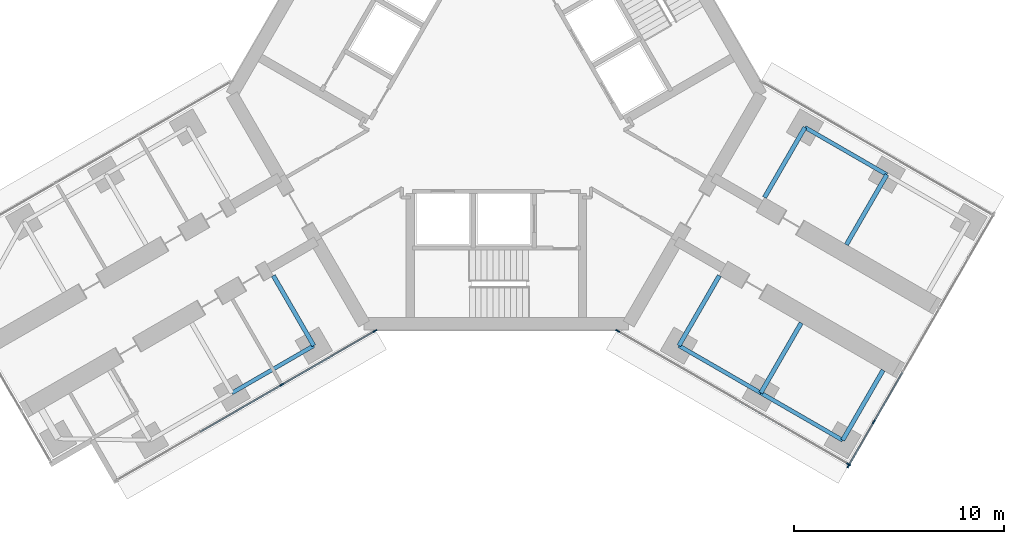
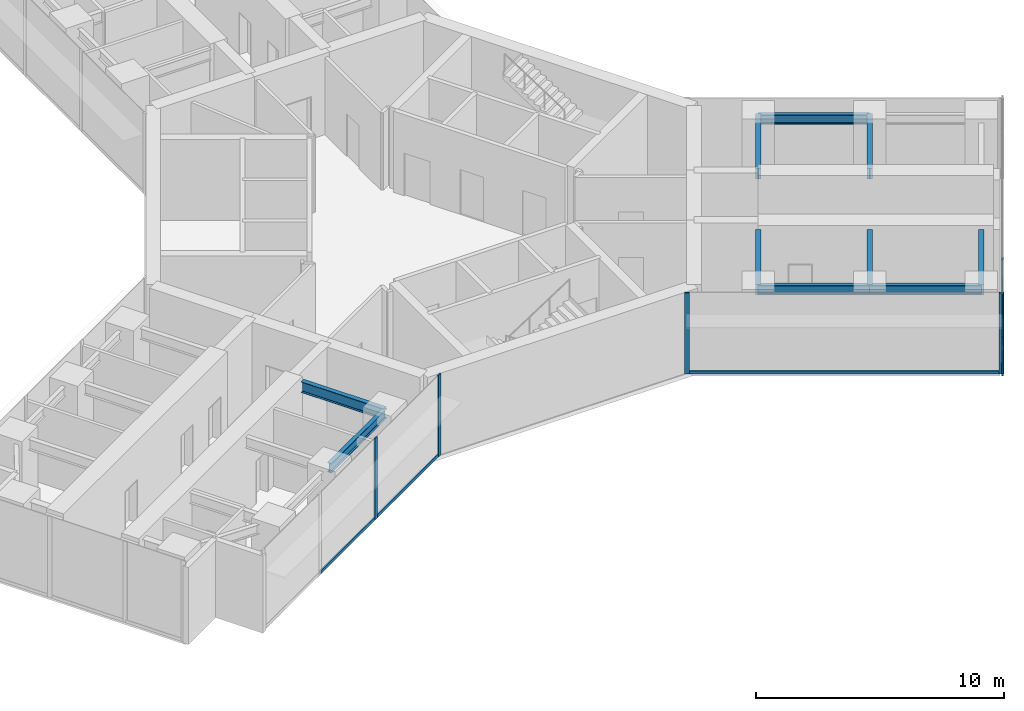
# One storey, part 8 of 22: 11 members, 10 beams, 3 elements without a shape of their own.
"""IFC4 building model written with IfcOpenShell, lengths in metres."""

from ifc_helpers import new_model, si_unit, direction, frame, origin, origin_2d, place, context, subcontext, project, spatial, rectangle, i_section, extrude, material, material_profile, profile_set, type_object, element, aggregate, save


model = new_model("IFC4")

# Units and contexts
model_context = context("Model", 3, precision=1e-05, world=origin(), true_north=direction((0.0, 1.0)))
body_context = subcontext(model_context, "Body", "Model", "MODEL_VIEW")
ifc_project = project(units=[si_unit("LENGTHUNIT", "METRE"), si_unit("AREAUNIT", "SQUARE_METRE"), si_unit("VOLUMEUNIT", "CUBIC_METRE"), si_unit("PLANEANGLEUNIT", "RADIAN"), si_unit("MASSUNIT", "GRAM", prefix="KILO")], contexts=[model_context])

# Site, building, storey
site_placement = place(None, origin())
site = spatial("IfcSite", under=ifc_project, at=site_placement, CompositionType="ELEMENT")
building_placement = place(site_placement, origin())
building = spatial("IfcBuilding", under=site, at=building_placement, Name="Upepo Twin Towers", CompositionType="ELEMENT")
storey_placement = place(building_placement, frame((0.0, 0.0, 121.5)))
storey = spatial("IfcBuildingStorey", under=building, at=storey_placement, Name="L29", CompositionType="ELEMENT", Elevation=121.5)

# Beams
ifc_material_1 = material(Name="Steel S355", Category="steel")
ifc_material_profile_1 = material_profile(ifc_material_1, i_section(OverallWidth=0.1904296875, OverallDepth=0.45703125, WebThickness=0.009033203125, FlangeThickness=0.014404296875, FilletRadius=0.01025390625, at=origin_2d()), Name="UB 457x191x74")
ifc_profile_set_1 = profile_set([ifc_material_profile_1], Name="Steel S355")
beam_type_1 = type_object("IfcBeamType", Name="Beam UB 457x191x74", PredefinedType="BEAM", material=ifc_profile_set_1)
for number, where, z_axis, x_axis, name in (
    (1, (49.80859375, -29.946044921875, 3.571533203125), (-0.866017533419, -0.500013631625, 0.0), (0.500013631625, -0.866017533419, 0.0), "T2 edge beam BL 13.5-18.0"),
    (2, (73.19140625, -19.553955078125, 3.571533203125), (0.866017533419, -0.500013631625, 0.0), (0.500013631625, 0.866017533419, 0.0), "T2 edge beam CL 13.5-18.0"),
    (3, (67.19140625, -29.946044921875, 3.571533203125), (0.866017533419, -0.500013631625, 0.0), (0.500013631625, 0.866017533419, 0.0), "T2 edge beam CR 13.5-18.0"),
):
    element("IfcBeam", number, at=place(storey_placement, frame(where, z_axis=z_axis, x_axis=x_axis)), inside=storey, type_object=beam_type_1, Name=name, PredefinedType="BEAM", context=body_context, shape_type="SweptSolid", body=[
        extrude(i_section(OverallWidth=0.1904296875, OverallDepth=0.45703125, WebThickness=0.009033203125, FlangeThickness=0.014404296875, FilletRadius=0.01025390625, at=origin_2d()), origin(), (0.0, 0.0, 1.0), 4.499755859375),
    ])
beam_1_placement = place(storey_placement, frame((71.08837890625, -32.196044921875, 3.571533203125), z_axis=(0.866031096941, -0.499990139034, 0.0), x_axis=(0.499990139034, 0.866031096941, 0.0)))
element("IfcBeam", 4, at=beam_1_placement, inside=storey, type_object=beam_type_1, Name="T2 edge beam CR 18.0-22.5", PredefinedType="BEAM", context=body_context, shape_type="SweptSolid", body=[
    extrude(i_section(OverallWidth=0.1904296875, OverallDepth=0.45703125, WebThickness=0.009033203125, FlangeThickness=0.014404296875, FilletRadius=0.01025390625, at=origin_2d()), origin(), (0.0, 0.0, 1.0), 4.5),
])
ifc_material_2 = material(Name="Steel S355", Category="steel")
ifc_material_profile_2 = material_profile(ifc_material_2, i_section(OverallWidth=0.209228515625, OverallDepth=0.533203125, WebThickness=0.010009765625, FlangeThickness=0.015625, FilletRadius=0.0126953125, at=origin_2d()), Name="UB 533x210x92")
ifc_profile_set_2 = profile_set([ifc_material_profile_2], Name="Steel S355")
beam_type_2 = type_object("IfcBeamType", Name="Beam UB 533x210x92", PredefinedType="BEAM", material=ifc_profile_set_2)
for number, where, z_axis, x_axis, name in (
    (5, (49.80859375, -29.946044921875, 3.533447265625), (-0.500033517596, 0.866006051527, 0.0), (-0.866006051527, -0.500033517596, 0.0), "T2 girder BL at 13.5"),
    (6, (73.19140625, -19.553955078125, 3.533447265625), (-0.500033517596, -0.866006051527, 0.0), (0.866006051527, -0.500033517596, 0.0), "T2 girder CL at 13.5"),
):
    element("IfcBeam", number, at=place(storey_placement, frame(where, z_axis=z_axis, x_axis=x_axis)), inside=storey, type_object=beam_type_2, Name=name, PredefinedType="BEAM", context=body_context, shape_type="SweptSolid", body=[
        extrude(i_section(OverallWidth=0.209228515625, OverallDepth=0.533203125, WebThickness=0.010009765625, FlangeThickness=0.015625, FilletRadius=0.0126953125, at=origin_2d()), origin(), (0.0, 0.0, 1.0), 3.849853515625),
    ])
beam_2_placement = place(storey_placement, frame((77.08837890625, -21.803955078125, 3.533447265625), z_axis=(-0.499985955615, -0.866033512162, 0.0), x_axis=(0.866033512162, -0.499985955615, 0.0)))
element("IfcBeam", 7, at=beam_2_placement, inside=storey, type_object=beam_type_2, Name="T2 girder CL at 18.0", PredefinedType="BEAM", context=body_context, shape_type="SweptSolid", body=[
    extrude(i_section(OverallWidth=0.209228515625, OverallDepth=0.533203125, WebThickness=0.010009765625, FlangeThickness=0.015625, FilletRadius=0.0126953125, at=origin_2d()), origin(), (0.0, 0.0, 1.0), 3.849609375),
])
for number, where, z_axis, x_axis, name in (
    (8, (67.19140625, -29.946044921875, 3.533447265625), (0.500033517596, 0.866006051527, 0.0), (-0.866006051527, 0.500033517596, 0.0), "T2 girder CR at 13.5"),
    (9, (71.08837890625, -32.196044921875, 3.533447265625), (0.500033517596, 0.866006051527, 0.0), (-0.866006051527, 0.500033517596, 0.0), "T2 girder CR at 18.0"),
    (10, (74.985595703125, -34.446044921875, 3.533447265625), (0.500033517596, 0.866006051527, 0.0), (-0.866006051527, 0.500033517596, 0.0), "T2 girder CR at 22.5"),
):
    element("IfcBeam", number, at=place(storey_placement, frame(where, z_axis=z_axis, x_axis=x_axis)), inside=storey, type_object=beam_type_2, Name=name, PredefinedType="BEAM", context=body_context, shape_type="SweptSolid", body=[
        extrude(i_section(OverallWidth=0.209228515625, OverallDepth=0.533203125, WebThickness=0.010009765625, FlangeThickness=0.015625, FilletRadius=0.0126953125, at=origin_2d()), origin(), (0.0, 0.0, 1.0), 3.849853515625),
    ])

# Curtain wall, members
ifc_material_3 = material(Name="Aluminium and fritted glass", Category="aluminium")
curtain_wall_type = type_object("IfcCurtainWallType", Name="Tower curtain wall TW2, fritted glass", PredefinedType="NOTDEFINED", material=ifc_material_3)
curtain_wall_1_placement = place(storey_placement, origin())
curtain_wall_1 = element("IfcCurtainWall", 11, at=curtain_wall_1_placement, inside=storey, type_object=curtain_wall_type, Name="T2 L29 wing B flank L curtain wall", PredefinedType="NOTDEFINED")
ifc_material_4 = material(Name="Aluminium mullion", Category="aluminium")
ifc_material_profile_3 = material_profile(ifc_material_4, rectangle(XDim=0.06494140625, YDim=0.199951171875, at=origin_2d()), Name="MULLION 65x200")
ifc_profile_set_3 = profile_set([ifc_material_profile_3], Name="Aluminium mullion")
member_type_1 = type_object("IfcMemberType", Name="Mullion 65x200 TW2", PredefinedType="MULLION", material=ifc_profile_set_3)
member_1_placement = place(storey_placement, frame((52.72802734375, -29.2421875, 0.0), z_axis=(0.0, 0.0, 1.0), x_axis=(0.500000010308, -0.866025397833, 0.0)))
member_1 = element("IfcMember", 12, at=member_1_placement, type_object=member_type_1, Name="T2 L29 wing B flank L curtain wall mullion 1", PredefinedType="MULLION", context=body_context, shape_type="SweptSolid", body=[
    extrude(rectangle(XDim=0.06494140625, YDim=0.199951171875, at=origin_2d()), origin(), (0.0, 0.0, 1.0), 4.0),
])
member_2_placement = place(storey_placement, frame((48.28515625, -31.807373046875, 0.0), z_axis=(0.0, 0.0, 1.0), x_axis=(0.500000010308, -0.866025397833, 0.0)))
member_2 = element("IfcMember", 13, at=member_2_placement, type_object=member_type_1, Name="T2 L29 wing B flank L curtain wall mullion 2", PredefinedType="MULLION", context=body_context, shape_type="SweptSolid", body=[
    extrude(rectangle(XDim=0.06494140625, YDim=0.199951171875, at=origin_2d()), origin(), (0.0, 0.0, 1.0), 4.0),
])

curtain_wall_2_placement = place(storey_placement, origin())
curtain_wall_2 = element("IfcCurtainWall", 14, at=curtain_wall_2_placement, inside=storey, type_object=curtain_wall_type, Name="T2 L29 wing C flank R curtain wall", PredefinedType="NOTDEFINED")
member_3_placement = place(storey_placement, frame((75.2685546875, -35.591064453125, 0.0), z_axis=(0.0, 0.0, 1.0), x_axis=(-0.50000000792, -0.866025399212, 0.0)))
member_3 = element("IfcMember", 15, at=member_3_placement, type_object=member_type_1, Name="T2 L29 wing C flank R curtain wall mullion 1", PredefinedType="MULLION", context=body_context, shape_type="SweptSolid", body=[
    extrude(rectangle(XDim=0.06494140625, YDim=0.199951171875, at=origin_2d()), origin(), (0.0, 0.0, 1.0), 4.0),
])
member_4_placement = place(storey_placement, frame((64.27197265625, -29.2421875, 0.0), z_axis=(0.0, 0.0, 1.0), x_axis=(-0.50000000792, -0.866025399212, 0.0)))
member_4 = element("IfcMember", 16, at=member_4_placement, type_object=member_type_1, Name="T2 L29 wing C flank R curtain wall mullion 2", PredefinedType="MULLION", context=body_context, shape_type="SweptSolid", body=[
    extrude(rectangle(XDim=0.06494140625, YDim=0.199951171875, at=origin_2d()), origin(), (0.0, 0.0, 1.0), 4.0),
])

curtain_wall_3_placement = place(storey_placement, origin())
curtain_wall_3 = element("IfcCurtainWall", 17, at=curtain_wall_3_placement, inside=storey, type_object=curtain_wall_type, Name="T2 L29 wing C nose curtain wall", PredefinedType="NOTDEFINED")
member_5_placement = place(storey_placement, frame((75.262939453125, -35.665771484375, 0.0), z_axis=(0.0, 0.0, 1.0), x_axis=(-0.866025419745, 0.499999972355, 0.0)))
member_5 = element("IfcMember", 18, at=member_5_placement, type_object=member_type_1, Name="T2 L29 wing C nose curtain wall mullion 1", PredefinedType="MULLION", context=body_context, shape_type="SweptSolid", body=[
    extrude(rectangle(XDim=0.06494140625, YDim=0.199951171875, at=origin_2d()), origin(), (0.0, 0.0, 1.0), 4.0),
])
member_6_placement = place(storey_placement, frame((76.4716796875, -33.572021484375, 0.0), z_axis=(0.0, 0.0, 1.0), x_axis=(-0.866025419745, 0.499999972355, 0.0)))
member_6 = element("IfcMember", 19, at=member_6_placement, type_object=member_type_1, Name="T2 L29 wing C nose curtain wall mullion 2", PredefinedType="MULLION", context=body_context, shape_type="SweptSolid", body=[
    extrude(rectangle(XDim=0.06494140625, YDim=0.199951171875, at=origin_2d()), origin(), (0.0, 0.0, 1.0), 4.0),
])

# Member
ifc_material_5 = material(Name="Aluminium transom", Category="aluminium")
ifc_material_profile_4 = material_profile(ifc_material_5, rectangle(XDim=0.06494140625, YDim=0.14990234375, at=origin_2d()), Name="TRANSOM 65x150")
ifc_profile_set_4 = profile_set([ifc_material_profile_4], Name="Aluminium transom")
member_type_2 = type_object("IfcMemberType", Name="Transom 65x150 TW2", PredefinedType="USERDEFINED", material=ifc_profile_set_4)
member_7_placement = place(storey_placement, frame((52.699951171875, -29.25830078125, 0.074951171875), z_axis=(-0.866021848223, -0.500006158363, 0.0), x_axis=(0.500006158363, -0.866021848223, 0.0)))
member_7 = element("IfcMember", 20, at=member_7_placement, type_object=member_type_2, Name="T2 L29 wing B flank L curtain wall transom 1", ObjectType="TRANSOM", PredefinedType="USERDEFINED", context=body_context, shape_type="SweptSolid", body=[
    extrude(rectangle(XDim=0.06494140625, YDim=0.14990234375, at=origin_2d()), origin(), (0.0, 0.0, 1.0), 5.0654296875),
])

member_8_placement = place(storey_placement, frame((48.2568359375, -31.823486328125, 0.074951171875), z_axis=(-0.866022410713, -0.500005184116, 0.0), x_axis=(0.500005184116, -0.866022410713, 0.0)))
member_8 = element("IfcMember", 21, at=member_8_placement, type_object=member_type_2, Name="T2 L29 wing B flank L curtain wall transom 2", ObjectType="TRANSOM", PredefinedType="USERDEFINED", context=body_context, shape_type="SweptSolid", body=[
    extrude(rectangle(XDim=0.06494140625, YDim=0.14990234375, at=origin_2d()), origin(), (0.0, 0.0, 1.0), 4.43505859375),
])

aggregate(curtain_wall_1, [member_1, member_2, member_7, member_8])

member_9_placement = place(storey_placement, frame((75.240478515625, -35.57470703125, 0.074951171875), z_axis=(-0.866027247007, 0.499996807431, 0.0), x_axis=(-0.499996807431, -0.866027247007, 0.0)))
member_9 = element("IfcMember", 22, at=member_9_placement, type_object=member_type_2, Name="T2 L29 wing C flank R curtain wall transom 1", ObjectType="TRANSOM", PredefinedType="USERDEFINED", context=body_context, shape_type="SweptSolid", body=[
    extrude(rectangle(XDim=0.06494140625, YDim=0.14990234375, at=origin_2d()), origin(), (0.0, 0.0, 1.0), 12.6328125),
])

aggregate(curtain_wall_2, [member_3, member_4, member_9])

member_10_placement = place(storey_placement, frame((75.279296875, -35.6376953125, 0.074951171875), z_axis=(0.499923095048, 0.866069800327, 0.0), x_axis=(-0.866069800327, 0.499923095048, 0.0)))
member_10 = element("IfcMember", 23, at=member_10_placement, type_object=member_type_2, Name="T2 L29 wing C nose curtain wall transom 1", ObjectType="TRANSOM", PredefinedType="USERDEFINED", context=body_context, shape_type="SweptSolid", body=[
    extrude(rectangle(XDim=0.06494140625, YDim=0.14990234375, at=origin_2d()), origin(), (0.0, 0.0, 1.0), 2.352294921875),
])

member_11_placement = place(storey_placement, frame((76.488037109375, -33.5439453125, 0.074951171875), z_axis=(0.49995335277, 0.8660523339, 0.0), x_axis=(-0.8660523339, 0.49995335277, 0.0)))
member_11 = element("IfcMember", 24, at=member_11_placement, type_object=member_type_2, Name="T2 L29 wing C nose curtain wall transom 2", ObjectType="TRANSOM", PredefinedType="USERDEFINED", context=body_context, shape_type="SweptSolid", body=[
    extrude(rectangle(XDim=0.06494140625, YDim=0.14990234375, at=origin_2d()), origin(), (0.0, 0.0, 1.0), 2.684814453125),
])

aggregate(curtain_wall_3, [member_5, member_6, member_10, member_11])

save(model, "model.ifc")
